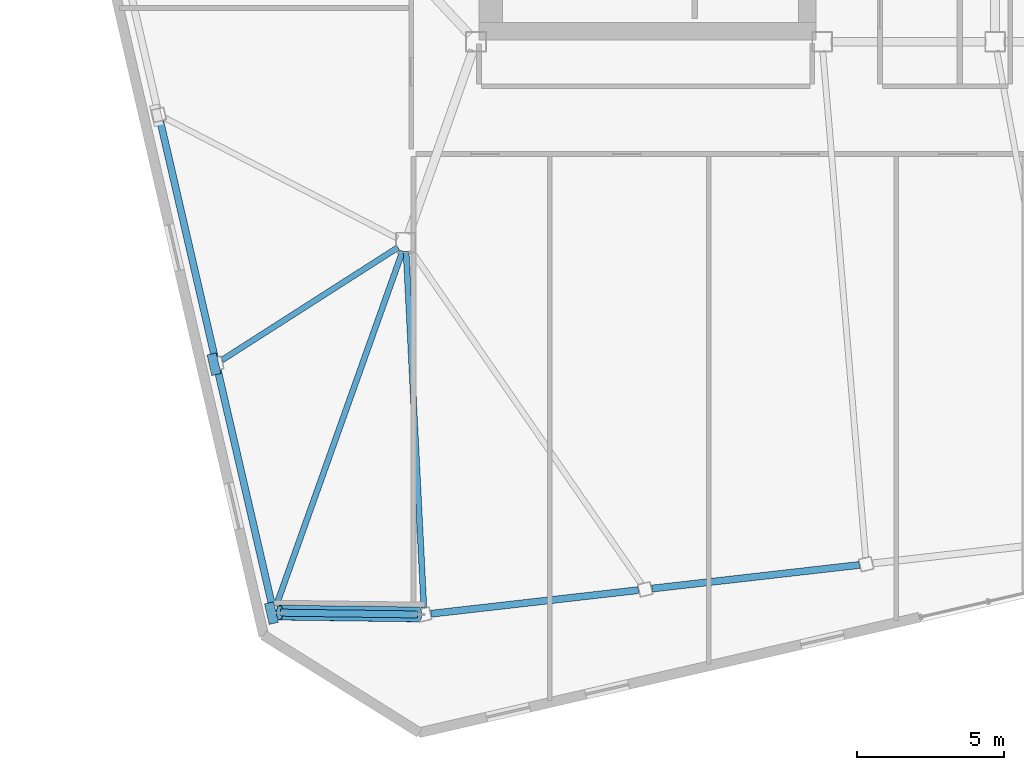
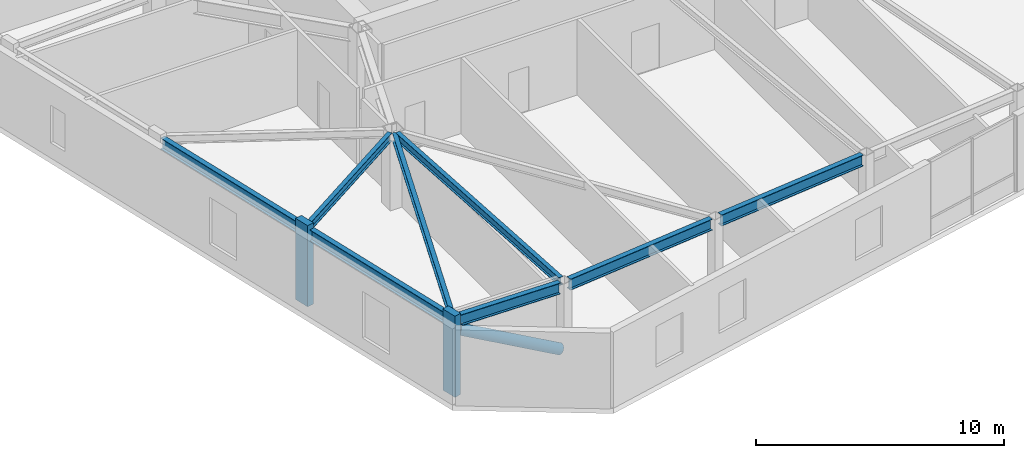
# One storey, part 4 of 23: 8 beams, 3 members.
"""IFC4 building model written with IfcOpenShell, lengths in metres."""

from ifc_helpers import new_model, si_unit, direction, frame, origin, origin_2d, place, context, subcontext, project, spatial, rectangle, hollow_circle, i_section, extrude, material, material_profile, profile_set, type_object, element, save


model = new_model("IFC4")

# Units and contexts
model_context = context("Model", 3, precision=1e-05, world=origin(), true_north=direction((0.0, 1.0)))
body_context = subcontext(model_context, "Body", "Model", "MODEL_VIEW")
ifc_project = project(units=[si_unit("LENGTHUNIT", "METRE"), si_unit("AREAUNIT", "SQUARE_METRE"), si_unit("VOLUMEUNIT", "CUBIC_METRE"), si_unit("PLANEANGLEUNIT", "RADIAN"), si_unit("MASSUNIT", "GRAM", prefix="KILO")], contexts=[model_context])

# Site, building, storey
site_placement = place(None, origin())
site = spatial("IfcSite", under=ifc_project, at=site_placement, CompositionType="ELEMENT")
building_placement = place(site_placement, origin())
building = spatial("IfcBuilding", under=site, at=building_placement, Name="Tavrogorsk Clinical Tower", CompositionType="ELEMENT")
storey_placement = place(building_placement, frame((0.0, 0.0, 293.0)))
storey = spatial("IfcBuildingStorey", under=building, at=storey_placement, Name="L68", CompositionType="ELEMENT", Elevation=293.0)

# Member
ifc_material_1 = material(Name="Structural steel S440", Category="steel")
ifc_material_profile_1 = material_profile(ifc_material_1, hollow_circle(Radius=0.25390625, WallThickness=0.02001953125, at=origin_2d()), Name="CHS-508x20")
ifc_profile_set_1 = profile_set([ifc_material_profile_1], Name="Structural steel S440")
member_type_1 = type_object("IfcMemberType", Name="ExoBrace_CHS508", PredefinedType="BRACE", material=ifc_profile_set_1)
member_placement = place(storey_placement, frame((-24.07080078125, -25.883056640625, 0.412841796875), z_axis=(-0.874894907887, 0.011394569062, 0.484178752062), x_axis=(-0.013022824449, -0.999915199426, 0.0)))
element("IfcMember", 1, at=member_placement, inside=storey, type_object=member_type_1, Name="L68 Corner Exoskeleton Brace W5-S1", PredefinedType="BRACE", context=body_context, shape_type="SweptSolid", body=[
    extrude(hollow_circle(Radius=0.25390625, WallThickness=0.02001953125, at=origin_2d()), origin(), (0.0, 0.0, 1.0), 5.3994140625),
])

# Beams
ifc_material_2 = material(Name="Structural steel S355", Category="steel")
ifc_material_profile_2 = material_profile(ifc_material_2, i_section(OverallWidth=0.199951171875, OverallDepth=0.39990234375, WebThickness=0.010498046875, FlangeThickness=0.01611328125, at=origin_2d()), Name="B-400x200x10.5x16")
ifc_profile_set_2 = profile_set([ifc_material_profile_2], Name="Structural steel S355")
beam_type_1 = type_object("IfcBeamType", Name="FloorBeam_B400", PredefinedType="BEAM", material=ifc_profile_set_2)
beam_1_placement = place(storey_placement, frame((-24.484619140625, -13.509521484375, 3.5400390625), z_axis=(0.049857498916, -0.998756341558, 0.0), x_axis=(0.998756341558, 0.049857498916, 0.0)))
element("IfcBeam", 2, at=beam_1_placement, inside=storey, type_object=beam_type_1, Name="L68 Radial Floor Beam S1", PredefinedType="BEAM", context=body_context, shape_type="SweptSolid", body=[
    extrude(i_section(OverallWidth=0.199951171875, OverallDepth=0.39990234375, WebThickness=0.010498046875, FlangeThickness=0.01611328125, at=origin_2d()), origin(), (0.0, 0.0, 1.0), 12.15869140625),
])
beam_2_placement = place(storey_placement, frame((-24.76123046875, -13.3671875, 3.5400390625), z_axis=(-0.842332392078, -0.538958385459, 0.0), x_axis=(0.538958385459, -0.842332392078, 0.0)))
element("IfcBeam", 3, at=beam_2_placement, inside=storey, type_object=beam_type_1, Name="L68 Radial Floor Beam W4", PredefinedType="BEAM", context=body_context, shape_type="SweptSolid", body=[
    extrude(i_section(OverallWidth=0.199951171875, OverallDepth=0.39990234375, WebThickness=0.010498046875, FlangeThickness=0.01611328125, at=origin_2d()), origin(), (0.0, 0.0, 1.0), 7.123779296875),
])
beam_3_placement = place(storey_placement, frame((-24.60400390625, -13.491943359375, 3.5400390625), z_axis=(-0.335800921645, -0.941932981173, 0.0), x_axis=(0.941932981173, -0.335800921645, 0.0)))
element("IfcBeam", 4, at=beam_3_placement, inside=storey, type_object=beam_type_1, Name="L68 Radial Floor Beam W5", PredefinedType="BEAM", context=body_context, shape_type="SweptSolid", body=[
    extrude(i_section(OverallWidth=0.199951171875, OverallDepth=0.39990234375, WebThickness=0.010498046875, FlangeThickness=0.01611328125, at=origin_2d()), origin(), (0.0, 0.0, 1.0), 12.85400390625),
])

# Members
ifc_material_3 = material(Name="Precast concrete B45 with limestone cladding", Category="masonry")
ifc_material_profile_3 = material_profile(ifc_material_3, rectangle(XDim=0.320068359375, YDim=0.719970703125, at=origin_2d()), Name="LIMESTONE-FIN-320x720")
ifc_profile_set_3 = profile_set([ifc_material_profile_3], Name="Precast concrete B45 with limestone cladding")
member_type_2 = type_object("IfcMemberType", Name="LimestonePleatFin_320x720", PredefinedType="USERDEFINED", material=ifc_profile_set_3)
for number, where, z_axis, x_axis, name in (
    (5, (-31.035888671875, -17.35009765625, 0.0), (0.0, 0.0, 1.0), (0.974370064785, 0.224951054344, 0.0), "L68 W Pleated Stone Fin 3"),
    (6, (-29.07666015625, -25.8369140625, 0.0), (0.0, 0.0, 1.0), (0.974370064785, 0.224951054344, 0.0), "L68 W Pleated Stone Fin 4"),
):
    element("IfcMember", number, at=place(storey_placement, frame(where, z_axis=z_axis, x_axis=x_axis)), inside=storey, type_object=member_type_2, Name=name, ObjectType="FIN", PredefinedType="USERDEFINED", context=body_context, shape_type="SweptSolid", body=[
        extrude(rectangle(XDim=0.320068359375, YDim=0.719970703125, at=origin_2d()), origin(), (0.0, 0.0, 1.0), 4.0),
    ])

# Beams
ifc_material_4 = material(Name="Structural steel S390", Category="steel")
ifc_material_profile_4 = material_profile(ifc_material_4, i_section(OverallWidth=0.239990234375, OverallDepth=0.550048828125, WebThickness=0.013916015625, FlangeThickness=0.02197265625, at=origin_2d()), Name="B-550x240x14x22")
ifc_profile_set_4 = profile_set([ifc_material_profile_4], Name="Structural steel S390")
beam_type_2 = type_object("IfcBeamType", Name="SpandrelBeam_B550", PredefinedType="SPANDREL", material=ifc_profile_set_4)
for number, where, z_axis, x_axis, name in (
    (7, (-23.635498046875, -25.859375, 3.465087890625), (0.993572073137, 0.113201305126, 0.0), (-0.113201305126, 0.993572073137, 0.0), "L68 Perimeter Spandrel S1-S2"),
    (8, (-16.098876953125, -25.000732421875, 3.465087890625), (0.993572073137, 0.113201305126, 0.0), (-0.113201305126, 0.993572073137, 0.0), "L68 Perimeter Spandrel S2-S3"),
):
    element("IfcBeam", number, at=place(storey_placement, frame(where, z_axis=z_axis, x_axis=x_axis)), inside=storey, type_object=beam_type_2, Name=name, PredefinedType="SPANDREL", context=body_context, shape_type="SweptSolid", body=[
        extrude(i_section(OverallWidth=0.239990234375, OverallDepth=0.550048828125, WebThickness=0.013916015625, FlangeThickness=0.02197265625, at=origin_2d()), origin(), (0.0, 0.0, 1.0), 7.119140625),
    ])
beam_4_placement = place(storey_placement, frame((-32.864990234375, -9.072509765625, 3.465087890625), z_axis=(0.224978460613, -0.974363737144, 0.0), x_axis=(0.974363737144, 0.224978460613, 0.0)))
element("IfcBeam", 9, at=beam_4_placement, inside=storey, type_object=beam_type_2, Name="L68 Perimeter Spandrel W3-W4", PredefinedType="SPANDREL", context=body_context, shape_type="SweptSolid", body=[
    extrude(i_section(OverallWidth=0.239990234375, OverallDepth=0.550048828125, WebThickness=0.013916015625, FlangeThickness=0.02197265625, at=origin_2d()), origin(), (0.0, 0.0, 1.0), 8.244140625),
])
beam_5_placement = place(storey_placement, frame((-30.905517578125, -17.559326171875, 3.465087890625), z_axis=(0.224950345141, -0.974370228517, 0.0), x_axis=(0.974370228517, 0.224950345141, 0.0)))
element("IfcBeam", 10, at=beam_5_placement, inside=storey, type_object=beam_type_2, Name="L68 Perimeter Spandrel W4-W5", PredefinedType="SPANDREL", context=body_context, shape_type="SweptSolid", body=[
    extrude(i_section(OverallWidth=0.239990234375, OverallDepth=0.550048828125, WebThickness=0.013916015625, FlangeThickness=0.02197265625, at=origin_2d()), origin(), (0.0, 0.0, 1.0), 8.243896484375),
])
beam_6_placement = place(storey_placement, frame((-28.765625, -25.822021484375, 3.465087890625), z_axis=(0.999915131489, -0.013028039754, 0.0), x_axis=(0.013028039754, 0.999915131489, 0.0)))
element("IfcBeam", 11, at=beam_6_placement, inside=storey, type_object=beam_type_2, Name="L68 Perimeter Spandrel W5-S1", PredefinedType="SPANDREL", context=body_context, shape_type="SweptSolid", body=[
    extrude(i_section(OverallWidth=0.239990234375, OverallDepth=0.550048828125, WebThickness=0.013916015625, FlangeThickness=0.02197265625, at=origin_2d()), origin(), (0.0, 0.0, 1.0), 4.666259765625),
])

save(model, "model.ifc")
